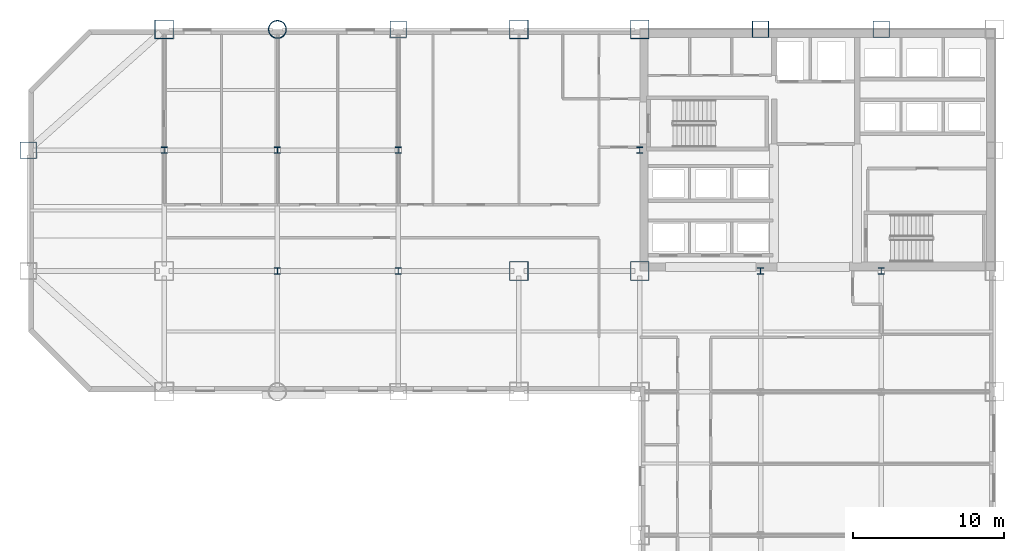
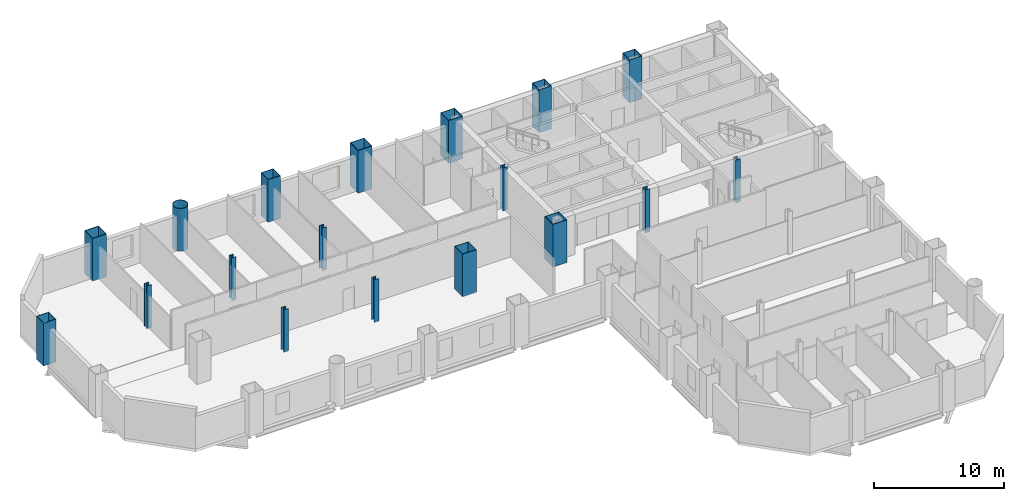
# One storey, part 2 of 9: 18 columns.
"""IFC4 building model written with IfcOpenShell, lengths in metres."""

from ifc_helpers import new_model, si_unit, direction, frame, origin, origin_2d, place, context, subcontext, project, spatial, hollow_rectangle, hollow_circle, i_section, extrude, material, material_profile, profile_set, type_object, element, save


model = new_model("IFC4")

# Units and contexts
model_context = context("Model", 3, precision=1e-05, world=origin(), true_north=direction((0.0, 1.0)))
body_context = subcontext(model_context, "Body", "Model", "MODEL_VIEW")
ifc_project = project(units=[si_unit("LENGTHUNIT", "METRE"), si_unit("AREAUNIT", "SQUARE_METRE"), si_unit("VOLUMEUNIT", "CUBIC_METRE"), si_unit("PLANEANGLEUNIT", "RADIAN"), si_unit("MASSUNIT", "GRAM", prefix="KILO")], contexts=[model_context])

# Site, building, storey
site_placement = place(None, origin())
site = spatial("IfcSite", under=ifc_project, at=site_placement, CompositionType="ELEMENT")
building_placement = place(site_placement, origin())
building = spatial("IfcBuilding", under=site, at=building_placement, Name="Qianrong Seaharbour Tower", CompositionType="ELEMENT")
storey_placement = place(building_placement, frame((0.0, 0.0, 40.199951171875)))
storey = spatial("IfcBuildingStorey", under=building, at=storey_placement, Name="L09", CompositionType="ELEMENT", Elevation=40.199951171875)

# Columns
ifc_material = material(Name="Structural steel SN490B", Category="steel")
ifc_material_profile_1 = material_profile(ifc_material, hollow_rectangle(XDim=1.25, YDim=1.25, WallThickness=0.044921875, at=origin_2d()), Name="BOX1250x1250x45")
ifc_profile_set_1 = profile_set([ifc_material_profile_1], Name="Structural steel SN490B")
column_type_1 = type_object("IfcColumnType", Name="COL-CFT-1250", PredefinedType="COLUMN", material=ifc_profile_set_1)
for number, where, z_axis, x_axis, name in (
    (1, (9.0, 52.0, 0.0), (0.0, 0.0, 1.0), (1.0, 0.0, 0.0), "L09 Column MC-2 at G2/GH"),
    (2, (32.5, 36.0, 0.0), (0.0, 0.0, 1.0), (1.0, 0.0, 0.0), "L09 Column MC-2 at G5/GF"),
    (3, (32.5, 52.0, 0.0), (0.0, 0.0, 1.0), (1.0, 0.0, 0.0), "L09 Column MC-2 at G5/GH"),
    (4, (40.5, 36.0, 0.0), (0.0, 0.0, 1.0), (1.0, 0.0, 0.0), "L09 Column MC-2 at G6/GF"),
    (5, (40.5, 52.0, 0.0), (0.0, 0.0, 1.0), (1.0, 0.0, 0.0), "L09 Column MC-2 at G6/GH"),
):
    element("IfcColumn", number, at=place(storey_placement, frame(where, z_axis=z_axis, x_axis=x_axis)), inside=storey, type_object=column_type_1, Name=name, PredefinedType="COLUMN", context=body_context, shape_type="SweptSolid", body=[
        extrude(hollow_rectangle(XDim=1.25, YDim=1.25, WallThickness=0.044921875, at=origin_2d()), origin(), (0.0, 0.0, 1.0), 4.0),
    ])
ifc_material_profile_2 = material_profile(ifc_material, hollow_circle(Radius=0.60009765625, WallThickness=0.0400390625, at=origin_2d()), Name="CHS1200x40")
ifc_profile_set_2 = profile_set([ifc_material_profile_2], Name="Structural steel SN490B")
column_type_2 = type_object("IfcColumnType", Name="COL-CHS-1200", PredefinedType="COLUMN", material=ifc_profile_set_2)
column_placement = place(storey_placement, frame((16.5, 52.0, 0.0), z_axis=(0.0, 0.0, 1.0), x_axis=(1.0, 0.0, 0.0)))
element("IfcColumn", 6, at=column_placement, inside=storey, type_object=column_type_2, Name="L09 Column CC-1 at G3/GH", PredefinedType="COLUMN", context=body_context, shape_type="SweptSolid", body=[
    extrude(hollow_circle(Radius=0.60009765625, WallThickness=0.0400390625, at=origin_2d()), origin(), (0.0, 0.0, 1.0), 4.0),
])
ifc_material_profile_3 = material_profile(ifc_material, i_section(OverallWidth=0.406982421875, OverallDepth=0.427978515625, WebThickness=0.02001953125, FlangeThickness=0.034912109375, FilletRadius=0.02197265625, at=origin_2d()), Name="H428x407x20x35")
ifc_profile_set_3 = profile_set([ifc_material_profile_3], Name="Structural steel SN490B")
column_type_3 = type_object("IfcColumnType", Name="COL-INT-H428", PredefinedType="COLUMN", material=ifc_profile_set_3)
for number, where, z_axis, x_axis, name in (
    (7, (9.0, 44.0, 0.0), (0.0, 0.0, 1.0), (1.0, 0.0, 0.0), "L09 Column IC-2 at G2/GG"),
    (8, (16.5, 36.0, 0.0), (0.0, 0.0, 1.0), (1.0, 0.0, 0.0), "L09 Column IC-2 at G3/GF"),
    (9, (16.5, 44.0, 0.0), (0.0, 0.0, 1.0), (1.0, 0.0, 0.0), "L09 Column IC-2 at G3/GG"),
    (10, (24.5, 36.0, 0.0), (0.0, 0.0, 1.0), (1.0, 0.0, 0.0), "L09 Column IC-2 at G4/GF"),
    (11, (24.5, 44.0, 0.0), (0.0, 0.0, 1.0), (1.0, 0.0, 0.0), "L09 Column IC-2 at G4/GG"),
    (12, (40.5, 44.0, 0.0), (0.0, 0.0, 1.0), (1.0, 0.0, 0.0), "L09 Column IC-2 at G6/GG"),
    (13, (48.5, 36.0, 0.0), (0.0, 0.0, 1.0), (1.0, 0.0, 0.0), "L09 Column IC-2 at G7/GF"),
    (14, (56.5, 36.0, 0.0), (0.0, 0.0, 1.0), (1.0, 0.0, 0.0), "L09 Column IC-2 at G8/GF"),
):
    element("IfcColumn", number, at=place(storey_placement, frame(where, z_axis=z_axis, x_axis=x_axis)), inside=storey, type_object=column_type_3, Name=name, PredefinedType="COLUMN", context=body_context, shape_type="SweptSolid", body=[
        extrude(i_section(OverallWidth=0.406982421875, OverallDepth=0.427978515625, WebThickness=0.02001953125, FlangeThickness=0.034912109375, FilletRadius=0.02197265625, at=origin_2d()), origin(), (0.0, 0.0, 1.0), 4.0),
    ])
ifc_material_profile_4 = material_profile(ifc_material, hollow_rectangle(XDim=1.10009765625, YDim=1.10009765625, WallThickness=0.0400390625, at=origin_2d()), Name="BOX1100x1100x40")
ifc_profile_set_4 = profile_set([ifc_material_profile_4], Name="Structural steel SN490B")
column_type_4 = type_object("IfcColumnType", Name="COL-PER-1100", PredefinedType="COLUMN", material=ifc_profile_set_4)
for number, where, z_axis, x_axis, name in (
    (15, (0.0, 44.0, 0.0), (0.0, 0.0, 1.0), (1.0, 0.0, 0.0), "L09 Column PC-1 at G1/GG"),
    (16, (24.5, 52.0, 0.0), (0.0, 0.0, 1.0), (1.0, 0.0, 0.0), "L09 Column PC-1 at G4/GH"),
    (17, (48.5, 52.0, 0.0), (0.0, 0.0, 1.0), (1.0, 0.0, 0.0), "L09 Column PC-1 at G7/GH"),
    (18, (56.5, 52.0, 0.0), (0.0, 0.0, 1.0), (1.0, 0.0, 0.0), "L09 Column PC-1 at G8/GH"),
):
    element("IfcColumn", number, at=place(storey_placement, frame(where, z_axis=z_axis, x_axis=x_axis)), inside=storey, type_object=column_type_4, Name=name, PredefinedType="COLUMN", context=body_context, shape_type="SweptSolid", body=[
        extrude(hollow_rectangle(XDim=1.10009765625, YDim=1.10009765625, WallThickness=0.0400390625, at=origin_2d()), origin(), (0.0, 0.0, 1.0), 4.0),
    ])

save(model, "model.ifc")
